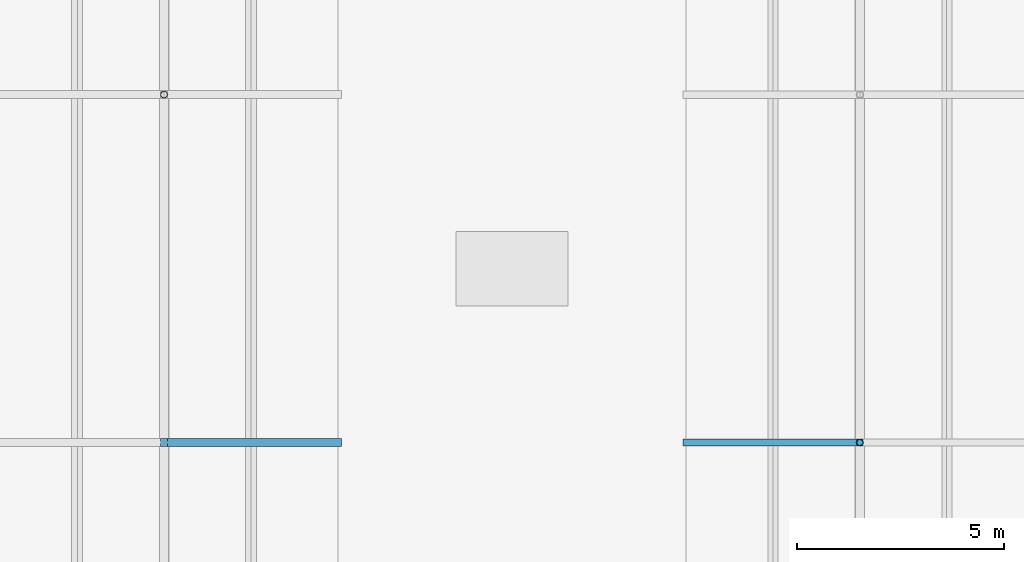
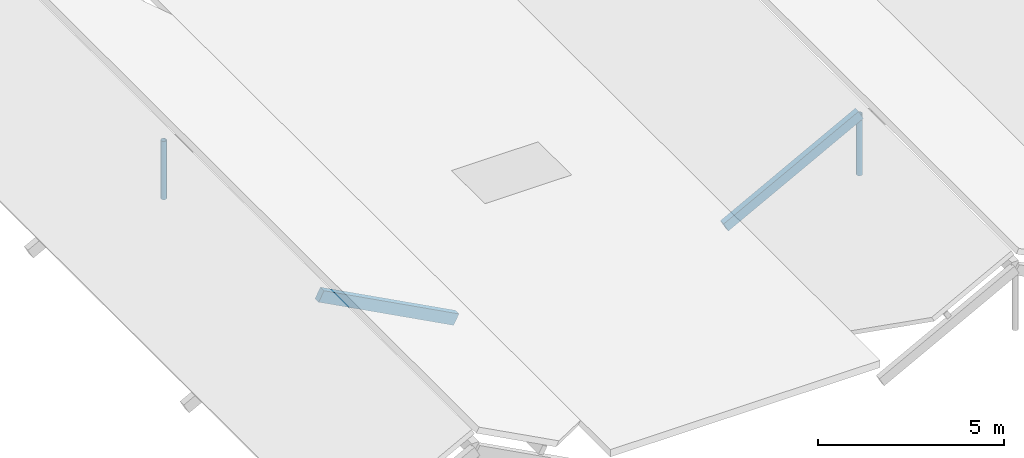
# One storey, part 48 of 82: 4 members.
"""IFC4 building model written with IfcOpenShell, lengths in metres."""

from ifc_helpers import new_model, si_unit, direction, frame, origin, origin_2d, place, context, subcontext, project, spatial, rectangle, hollow_circle, extrude, material, material_profile, profile_set, type_object, element, save


model = new_model("IFC4")

# Units and contexts
model_context = context("Model", 3, precision=1e-05, world=origin(), true_north=direction((0.0, 1.0)))
body_context = subcontext(model_context, "Body", "Model", "MODEL_VIEW")
ifc_project = project(units=[si_unit("LENGTHUNIT", "METRE"), si_unit("AREAUNIT", "SQUARE_METRE"), si_unit("VOLUMEUNIT", "CUBIC_METRE"), si_unit("PLANEANGLEUNIT", "RADIAN"), si_unit("MASSUNIT", "GRAM", prefix="KILO")], contexts=[model_context])

# Site, building, storey
site_placement = place(None, origin())
site = spatial("IfcSite", under=ifc_project, at=site_placement, CompositionType="ELEMENT")
building_placement = place(site_placement, origin())
building = spatial("IfcBuilding", under=site, at=building_placement, Name="Bramfleet General Hospital", CompositionType="ELEMENT")
storey_placement = place(building_placement, frame((0.0, 0.0, 34.199951171875)))
storey = spatial("IfcBuildingStorey", under=building, at=storey_placement, Name="Roof", CompositionType="ELEMENT", Elevation=34.199951171875)

# Members
ifc_material_1 = material(Name="Structural timber GL28h", Category="wood")
ifc_material_profile_1 = material_profile(ifc_material_1, rectangle(XDim=0.179931640625, YDim=0.320068359375, at=origin_2d()), Name="GL28h 320x180")
ifc_profile_set_1 = profile_set([ifc_material_profile_1], Name="Structural timber GL28h")
member_type_1 = type_object("IfcMemberType", Name="MEM-RF-GL320", PredefinedType="RAFTER", material=ifc_profile_set_1)
member_1_placement = place(storey_placement, frame((84.0, 100.800048828125, -0.671875), z_axis=(0.882947536541, 0.0, 0.469471668705), x_axis=(0.0, 1.0, 0.0)))
element("IfcMember", 1, at=member_1_placement, inside=storey, type_object=member_type_1, Name="Patient House PH-02 West Glulam Rafter 1", PredefinedType="RAFTER", context=body_context, shape_type="SweptSolid", body=[
    extrude(rectangle(XDim=0.179931640625, YDim=0.320068359375, at=origin_2d()), origin(), (0.0, 0.0, 1.0), 4.7568359375),
])
ifc_material_profile_2 = material_profile(ifc_material_1, rectangle(XDim=0.199951171875, YDim=0.360107421875, at=origin_2d()), Name="GL28h 360x200")
ifc_profile_set_2 = profile_set([ifc_material_profile_2], Name="Structural timber GL28h")
member_type_2 = type_object("IfcMemberType", Name="MEM-RF-GL360", PredefinedType="RAFTER", material=ifc_profile_set_2)
member_2_placement = place(storey_placement, frame((71.39990234375, 100.800048828125, 1.476806640625), z_axis=(0.882958848035, 0.0, -0.469450394267), x_axis=(0.0, 1.0, 0.0)))
element("IfcMember", 2, at=member_2_placement, inside=storey, type_object=member_type_2, Name="Patient House PH-01 East Glulam Rafter 1", PredefinedType="RAFTER", context=body_context, shape_type="SweptSolid", body=[
    extrude(rectangle(XDim=0.199951171875, YDim=0.360107421875, at=origin_2d()), origin(), (0.0, 0.0, 1.0), 4.7568359375),
])
ifc_material_2 = material(Name="Steel S355", Category="steel")
ifc_material_profile_3 = material_profile(ifc_material_2, hollow_circle(Radius=0.084228515625, WallThickness=0.008056640625, at=origin_2d()), Name="CHS 168.3x8.0")
ifc_profile_set_3 = profile_set([ifc_material_profile_3], Name="Steel S355")
member_type_3 = type_object("IfcMemberType", Name="MEM-SF-DG1", PredefinedType="STRUT", material=ifc_profile_set_3)
member_3_placement = place(storey_placement, frame((71.39990234375, 109.199951171875, -0.43994140625), z_axis=(0.0, 0.0, 1.0), x_axis=(1.0, 0.0, 0.0)))
element("IfcMember", 3, at=member_3_placement, inside=storey, type_object=member_type_3, Name="Patient House PH-01 Ridge Timber Post 2", PredefinedType="STRUT", context=body_context, shape_type="SweptSolid", body=[
    extrude(hollow_circle(Radius=0.084228515625, WallThickness=0.008056640625, at=origin_2d()), origin(), (0.0, 0.0, 1.0), 1.916748046875),
])
member_4_placement = place(storey_placement, frame((88.199951171875, 100.800048828125, -0.43994140625), z_axis=(0.0, 0.0, 1.0), x_axis=(1.0, 0.0, 0.0)))
element("IfcMember", 4, at=member_4_placement, inside=storey, type_object=member_type_3, Name="Patient House PH-02 Ridge Timber Post 1", PredefinedType="STRUT", context=body_context, shape_type="SweptSolid", body=[
    extrude(hollow_circle(Radius=0.084228515625, WallThickness=0.008056640625, at=origin_2d()), origin(), (0.0, 0.0, 1.0), 2.001220703125),
])

save(model, "model.ifc")
